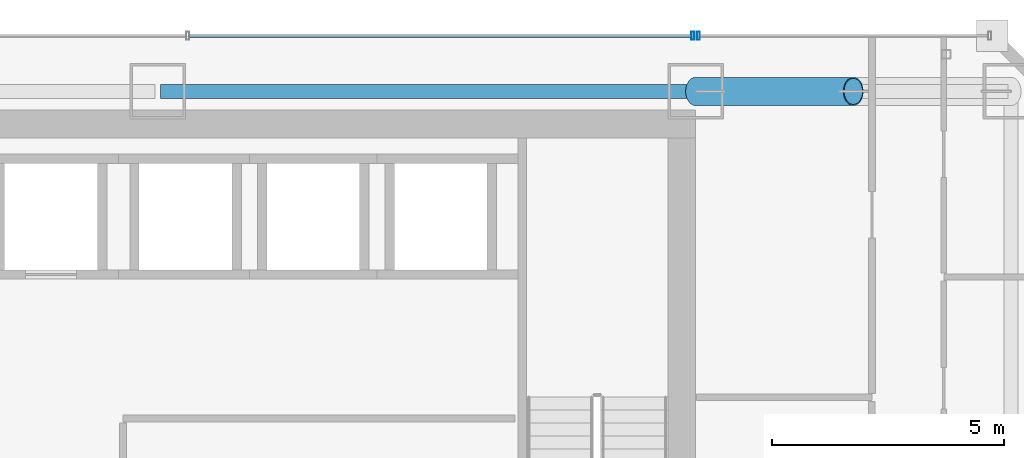
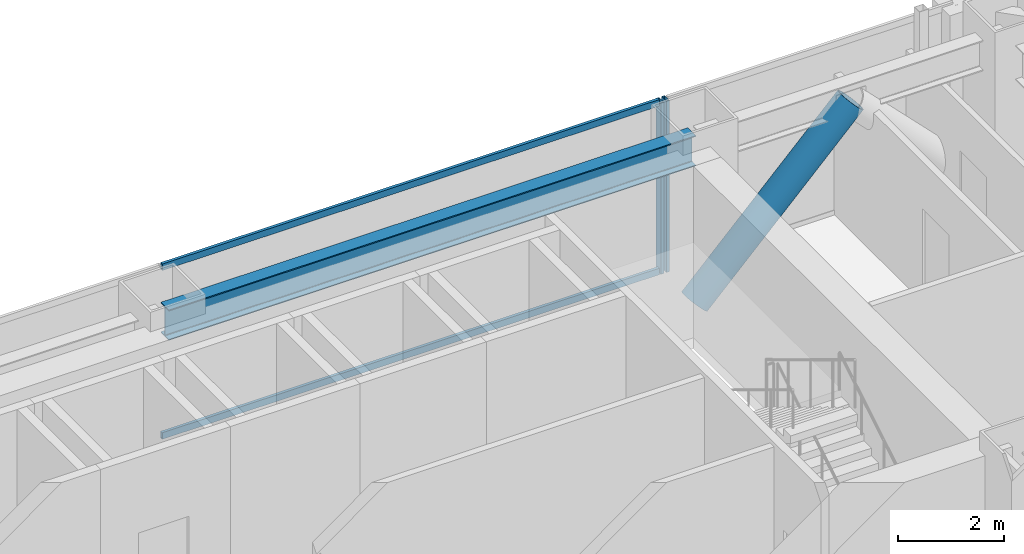
# One storey, part 32 of 47: 5 members, 1 beam, 2 elements without a shape of their own.
"""IFC4 building model written with IfcOpenShell, lengths in metres."""

from ifc_helpers import new_model, si_unit, direction, frame, origin, origin_2d, place, context, subcontext, project, spatial, hollow_rectangle, hollow_circle, i_section, extrude, material, material_profile, profile_set, type_object, element, aggregate, save


model = new_model("IFC4")

# Units and contexts
model_context = context("Model", 3, precision=1e-05, world=origin(), true_north=direction((0.0, 1.0)))
body_context = subcontext(model_context, "Body", "Model", "MODEL_VIEW")
ifc_project = project(units=[si_unit("LENGTHUNIT", "METRE"), si_unit("AREAUNIT", "SQUARE_METRE"), si_unit("VOLUMEUNIT", "CUBIC_METRE"), si_unit("PLANEANGLEUNIT", "RADIAN"), si_unit("MASSUNIT", "GRAM", prefix="KILO")], contexts=[model_context])

# Site, building, storey
site_placement = place(None, origin())
site = spatial("IfcSite", under=ifc_project, at=site_placement, CompositionType="ELEMENT")
building_placement = place(site_placement, origin())
building = spatial("IfcBuilding", under=site, at=building_placement, Name="Saevonmaru Cultural Tower", CompositionType="ELEMENT")
storey_placement = place(building_placement, frame((0.0, 0.0, 82.39990234375)))
storey = spatial("IfcBuildingStorey", under=building, at=storey_placement, Name="L17", CompositionType="ELEMENT", Elevation=82.39990234375)

# Beam
ifc_material_1 = material(Name="Steel SM355", Category="steel")
ifc_material_profile_1 = material_profile(ifc_material_1, i_section(OverallWidth=0.300048828125, OverallDepth=0.699951171875, WebThickness=0.012939453125, FlangeThickness=0.02392578125, FilletRadius=0.02587890625, at=origin_2d()), Name="H-700x300x13x24")
ifc_profile_set_1 = profile_set([ifc_material_profile_1], Name="Steel SM355")
beam_type = type_object("IfcBeamType", Name="BM-SP-H700", PredefinedType="SPANDREL", material=ifc_profile_set_1)
beam_placement = place(storey_placement, frame((34.860107421875, 54.800048828125, 3.60009765625), z_axis=(1.0, 0.0, 0.0), x_axis=(0.0, 1.0, 0.0)))
element("IfcBeam", 1, at=beam_placement, inside=storey, type_object=beam_type, Name="L17 North Spine Girder 4", PredefinedType="SPANDREL", context=body_context, shape_type="SweptSolid", body=[
    extrude(i_section(OverallWidth=0.300048828125, OverallDepth=0.699951171875, WebThickness=0.012939453125, FlangeThickness=0.02392578125, FilletRadius=0.02587890625, at=origin_2d()), origin(), (0.0, 0.0, 1.0), 11.47998046875),
])

# Member
ifc_material_2 = material(Name="Steel HSA600 (600 MPa)", Category="steel")
ifc_material_profile_2 = material_profile(ifc_material_2, hollow_circle(Radius=0.3046875, WallThickness=0.02490234375, at=origin_2d()), Name="CHS-609.6x25")
ifc_profile_set_2 = profile_set([ifc_material_profile_2], Name="Steel HSA600 (600 MPa)")
member_type_1 = type_object("IfcMemberType", Name="MB-PBR-CHS610", PredefinedType="BRACE", material=ifc_profile_set_2)
member_1_placement = place(storey_placement, frame((46.39990234375, 54.800048828125, 0.02001953125), z_axis=(0.701921901815, 0.0, 0.712253918033), x_axis=(0.0, 1.0, 0.0)))
element("IfcMember", 2, at=member_1_placement, inside=storey, type_object=member_type_1, Name="L17 Perimeter Braced-Tube Diagonal EN1", PredefinedType="BRACE", context=body_context, shape_type="SweptSolid", body=[
    extrude(hollow_circle(Radius=0.3046875, WallThickness=0.02490234375, at=origin_2d()), origin(), (0.0, 0.0, 1.0), 4.843994140625),
])

# Curtain wall, member
ifc_material_3 = material(Name="Satin Bronze Anodised Aluminium", Category="aluminium")
curtain_wall_type = type_object("IfcCurtainWallType", Name="CW-TYP-A", PredefinedType="NOTDEFINED", material=ifc_material_3)
curtain_wall_1_placement = place(storey_placement, origin())
curtain_wall_1 = element("IfcCurtainWall", 3, at=curtain_wall_1_placement, inside=storey, type_object=curtain_wall_type, Name="L17 East Braced Bay Spandrel Curtain Wall E10A", PredefinedType="NOTDEFINED")
ifc_material_profile_3 = material_profile(ifc_material_3, hollow_rectangle(XDim=0.06494140625, YDim=0.179931640625, WallThickness=0.00390625, at=origin_2d()), Name="ALU-MULL-180x65x4")
ifc_profile_set_3 = profile_set([ifc_material_profile_3], Name="Satin Bronze Anodised Aluminium")
member_type_2 = type_object("IfcMemberType", Name="ML-CW-180x65", PredefinedType="MULLION", material=ifc_profile_set_3)
member_2_placement = place(storey_placement, frame((46.4599609375, 56.0, 0.0), z_axis=(0.0, 0.0, 1.0), x_axis=(-1.0, 0.0, 0.0)))
member_2 = element("IfcMember", 4, at=member_2_placement, type_object=member_type_2, Name="CW-TW-L17-E10A mullion 2", PredefinedType="MULLION", context=body_context, shape_type="SweptSolid", body=[
    extrude(hollow_rectangle(XDim=0.06494140625, YDim=0.179931640625, WallThickness=0.00390625, at=origin_2d()), origin(), (0.0, 0.0, 1.0), 3.9501953125),
])
aggregate(curtain_wall_1, [member_2])

# Curtain wall, members
curtain_wall_2_placement = place(storey_placement, origin())
curtain_wall_2 = element("IfcCurtainWall", 5, at=curtain_wall_2_placement, inside=storey, type_object=curtain_wall_type, Name="L17 North Spine Unitised Curtain Wall E10B", PredefinedType="NOTDEFINED")
member_3_placement = place(storey_placement, frame((46.340087890625, 56.0, 0.0), z_axis=(0.0, 0.0, 1.0), x_axis=(-1.0, 0.0, 0.0)))
member_3 = element("IfcMember", 6, at=member_3_placement, type_object=member_type_2, Name="CW-TW-L17-E10B mullion 1", PredefinedType="MULLION", context=body_context, shape_type="SweptSolid", body=[
    extrude(hollow_rectangle(XDim=0.06494140625, YDim=0.179931640625, WallThickness=0.00390625, at=origin_2d()), origin(), (0.0, 0.0, 1.0), 3.9501953125),
])
ifc_material_profile_4 = material_profile(ifc_material_3, hollow_rectangle(XDim=0.06494140625, YDim=0.14990234375, WallThickness=0.00390625, at=origin_2d()), Name="ALU-TRAN-150x65x4")
ifc_profile_set_4 = profile_set([ifc_material_profile_4], Name="Satin Bronze Anodised Aluminium")
member_type_3 = type_object("IfcMemberType", Name="TR-CW-150x65", PredefinedType="USERDEFINED", material=ifc_profile_set_4)
member_4_placement = place(storey_placement, frame((46.3076171875, 56.0, 0.03271484375), z_axis=(-1.0, 0.0, 0.0), x_axis=(0.0, -1.0, 0.0)))
member_4 = element("IfcMember", 7, at=member_4_placement, type_object=member_type_3, Name="CW-TW-L17-E10B transom 1.1", ObjectType="TRANSOM", PredefinedType="USERDEFINED", context=body_context, shape_type="SweptSolid", body=[
    extrude(hollow_rectangle(XDim=0.06494140625, YDim=0.14990234375, WallThickness=0.00390625, at=origin_2d()), origin(), (0.0, 0.0, 1.0), 10.828369140625),
])
member_5_placement = place(storey_placement, frame((46.3076171875, 56.0, 3.91748046875), z_axis=(-1.0, 0.0, 0.0), x_axis=(0.0, -1.0, 0.0)))
member_5 = element("IfcMember", 8, at=member_5_placement, type_object=member_type_3, Name="CW-TW-L17-E10B transom 1.2", ObjectType="TRANSOM", PredefinedType="USERDEFINED", context=body_context, shape_type="SweptSolid", body=[
    extrude(hollow_rectangle(XDim=0.06494140625, YDim=0.14990234375, WallThickness=0.00390625, at=origin_2d()), origin(), (0.0, 0.0, 1.0), 10.828369140625),
])
aggregate(curtain_wall_2, [member_3, member_4, member_5])

save(model, "model.ifc")
